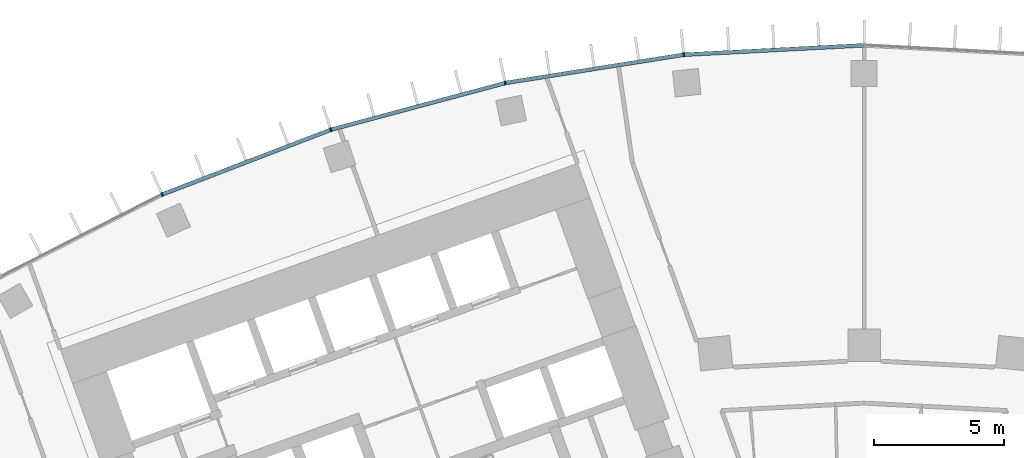
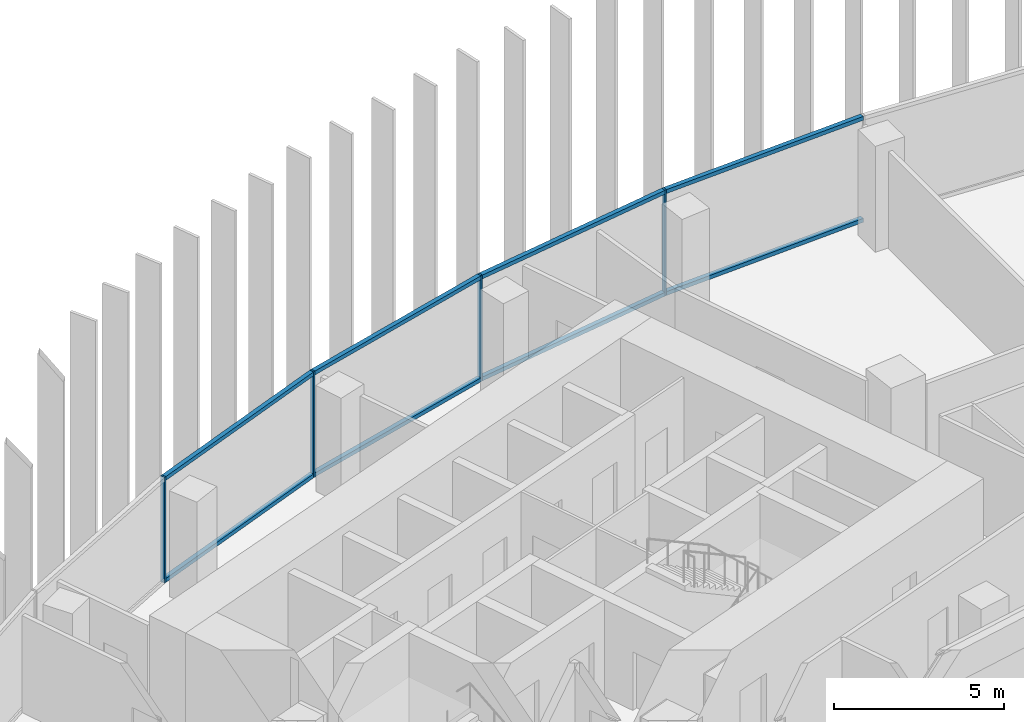
# One storey, part 7 of 23: 12 members, 1 element without a shape of its own.
"""IFC4 building model written with IfcOpenShell, lengths in metres."""

import ifcopenshell
import ifcopenshell.guid

model = None  # the IFC model being written
_history = None  # IfcOwnerHistory: only IFC2X3 demands one
_inside = {}  # id of a spatial element -> (the spatial element, [elements in it])
_under = {}  # id of a project, library or spatial element -> (it, [spatial elements below it])
_declared = {}  # id of a project -> (the project, [libraries it declares])
_typed = {}  # id of a type object -> (the type object, [elements of that type])
_made_of = {}  # id of a material, layer set ... -> (it, [elements and type objects made of it])


def new_model(schema):
    """Start an empty IFC model of exactly this schema.

    Asked for "IFC4X3", IfcOpenShell would pick the latest addendum, in which some entities
    have other attributes; the version numbers below select the first issue.
    IFC2X3 requires an IfcOwnerHistory on every rooted entity: one is made here for all.
    """
    global model, _history
    if schema == "IFC4X3":
        model = ifcopenshell.file(schema_version=(4, 3, 0, 0))
    else:
        model = ifcopenshell.file(schema=schema)
    _inside.clear()
    _under.clear()
    _declared.clear()
    _typed.clear()
    _made_of.clear()
    _history = None
    if model.schema == "IFC2X3":
        org = make("IfcOrganization", Name="unknown")
        user = make(
            "IfcPersonAndOrganization",
            ThePerson=make("IfcPerson", FamilyName="unknown"),
            TheOrganization=org,
        )
        app = make(
            "IfcApplication",
            ApplicationDeveloper=org,
            Version="unknown",
            ApplicationFullName="unknown",
            ApplicationIdentifier="unknown",
        )
        _history = make(
            "IfcOwnerHistory",
            OwningUser=user,
            OwningApplication=app,
            ChangeAction="ADDED",
            CreationDate=0,
        )
    return model


def make(cls, **values):
    """One entity of the class cls with the attributes given. An attribute that is None is left unset."""
    return model.create_entity(
        cls, **{name: value for name, value in values.items() if value is not None}
    )


def rooted(cls, **values):
    """An entity with a GlobalId (a new one), such as an element, a storey or a relation."""
    return make(cls, GlobalId=ifcopenshell.guid.new(), OwnerHistory=_history, **values)


def si_unit(unit_type, name, prefix=None):
    """IfcSIUnit, for example si_unit("LENGTHUNIT", "METRE", prefix="MILLI")."""
    return make("IfcSIUnit", UnitType=unit_type, Prefix=prefix, Name=name)


def assignment(units):
    """IfcUnitAssignment: the units of a project."""
    return None if units is None else make("IfcUnitAssignment", Units=units)


def point(xyz):
    """IfcCartesianPoint."""
    return None if xyz is None else make("IfcCartesianPoint", Coordinates=xyz)


def direction(xyz):
    """IfcDirection."""
    return None if xyz is None else make("IfcDirection", DirectionRatios=xyz)


def frame(location, z_axis=None, x_axis=None):
    """IfcAxis2Placement3D, a coordinate frame: its origin and axes. An axis left out is left unset."""
    return make(
        "IfcAxis2Placement3D",
        Location=point(location),
        Axis=direction(z_axis),
        RefDirection=direction(x_axis),
    )


def frame_2d(location, x_axis=None):
    """IfcAxis2Placement2D, a coordinate frame in the plane: its origin and x axis."""
    return make(
        "IfcAxis2Placement2D", Location=point(location), RefDirection=direction(x_axis)
    )


def origin():
    """The frame at (0, 0, 0) with its axes left unset."""
    return frame((0.0, 0.0, 0.0))


def origin_2d():
    """The frame at (0, 0) in the plane with its x axis left unset."""
    return frame_2d((0.0, 0.0))


def place(relative_to, where):
    """IfcLocalPlacement: puts the frame where relative to a parent placement (None: the world)."""
    return make(
        "IfcLocalPlacement", PlacementRelTo=relative_to, RelativePlacement=where
    )


def context(
    kind, dimensions, precision=None, world=None, true_north=None, identifier=None
):
    """IfcGeometricRepresentationContext, for example the 3D "Model" context."""
    return make(
        "IfcGeometricRepresentationContext",
        ContextIdentifier=identifier,
        ContextType=kind,
        CoordinateSpaceDimension=dimensions,
        Precision=precision,
        WorldCoordinateSystem=world,
        TrueNorth=true_north,
    )


def subcontext(parent, identifier, kind, view, scale=None):
    """IfcGeometricRepresentationSubContext, for example "Body" below "Model"."""
    return make(
        "IfcGeometricRepresentationSubContext",
        ContextIdentifier=identifier,
        ContextType=kind,
        ParentContext=parent,
        TargetScale=scale,
        TargetView=view,
    )


def project(units=None, contexts=None):
    """IfcProject with its units and contexts."""
    return rooted(
        "IfcProject",
        Name="project",
        RepresentationContexts=contexts,
        UnitsInContext=assignment(units),
    )


def spatial(cls, under=None, at=None, **own):
    """A site, building, storey or space (cls), placed at a placement, below another one or the project."""
    s = rooted(cls, ObjectPlacement=at, **own)
    if under is not None:
        _under.setdefault(under.id(), (under, []))[1].append(s)
    return s


def profile(cls, at=None, kind="AREA", **sizes):
    """A parametric profile (cls). Its sizes go by their IFC names, for example OverallWidth=200.0."""
    return make(cls, ProfileType=kind, Position=at, **sizes)


def rectangle(**sizes):
    """IfcRectangleProfileDef."""
    return profile("IfcRectangleProfileDef", **sizes)


def extrude(swept, where, along, depth):
    """IfcExtrudedAreaSolid: the profile swept, set in the frame where, extruded along a direction by depth."""
    return make(
        "IfcExtrudedAreaSolid",
        SweptArea=swept,
        Position=where,
        ExtrudedDirection=direction(along),
        Depth=depth,
    )


def shape(context_of_items, identifier, shape_type, items):
    """IfcShapeRepresentation: the items that make up one representation, for example the "Body"."""
    return make(
        "IfcShapeRepresentation",
        ContextOfItems=context_of_items,
        RepresentationIdentifier=identifier,
        RepresentationType=shape_type,
        Items=items,
    )


def material(Name=None, Category=None):
    """IfcMaterial."""
    return make("IfcMaterial", Name=Name, Category=Category)


def layer(
    of_material, thickness, ventilated=None, Name=None, Category=None, Priority=None
):
    """IfcMaterialLayer: one layer of a wall or slab, of a material (None: an air gap)."""
    return make(
        "IfcMaterialLayer",
        Material=of_material,
        LayerThickness=thickness,
        IsVentilated=ventilated,
        Name=Name,
        Category=Category,
        Priority=Priority,
    )


def layer_set(layers, Name=None):
    """IfcMaterialLayerSet."""
    return make("IfcMaterialLayerSet", MaterialLayers=layers, LayerSetName=Name)


def material_profile(
    of_material, cross_section, Name=None, Category=None, Priority=None
):
    """IfcMaterialProfile: a cross section and its material."""
    return make(
        "IfcMaterialProfile",
        Name=Name,
        Material=of_material,
        Profile=cross_section,
        Priority=Priority,
        Category=Category,
    )


def profile_set(profiles, Name=None, composite=None):
    """IfcMaterialProfileSet."""
    return make(
        "IfcMaterialProfileSet",
        Name=Name,
        MaterialProfiles=profiles,
        CompositeProfile=composite,
    )


def made_of(thing, what):
    """Note that an element or type object is made of a material, layer set ...; save() writes the relation."""
    if what is not None:
        _made_of.setdefault(what.id(), (what, []))[1].append(thing)
    return thing


def type_object(cls, material=None, **own):
    """A type object (cls), such as IfcWallType, which elements share."""
    return made_of(rooted(cls, **own), material)


def element(
    cls,
    number,
    at=None,
    inside=None,
    cuts=None,
    type_object=None,
    material=None,
    context=None,
    identifier="Body",
    shape_type=None,
    held_by="IfcProductDefinitionShape",
    body=None,
    shapes=None,
    **own,
):
    """One element of the class cls, such as IfcWall. Its Tag is "e" and its number.

    at: its placement. inside: the storey or other place that contains it. cuts: it is an
    opening in that element (IfcRelVoidsElement). A single representation is given by context,
    identifier, shape_type and body (its items); several are given by shapes. held_by: the class
    of the entity that holds the representations. save() writes the other relations.
    """
    e = rooted(cls, Tag="e%d" % number, ObjectPlacement=at, **own)
    if body is not None:
        shapes = [shape(context, identifier, shape_type, body)]
    if shapes is not None:
        e.Representation = make(held_by, Representations=shapes)
    if inside is not None:
        _inside.setdefault(inside.id(), (inside, []))[1].append(e)
    if cuts is not None:
        rooted(
            "IfcRelVoidsElement", RelatingBuildingElement=cuts, RelatedOpeningElement=e
        )
    if type_object is not None:
        _typed.setdefault(type_object.id(), (type_object, []))[1].append(e)
    return made_of(e, material)


def aggregate(whole, parts):
    """IfcRelAggregates: a whole, such as a stair, and the parts it consists of."""
    return rooted("IfcRelAggregates", RelatingObject=whole, RelatedObjects=parts)


def save(model, path):
    """Write the relations noted so far, then the file.

    IfcRelAggregates (storeys below a building ...), IfcRelContainedInSpatialStructure (elements
    in a storey), IfcRelDefinesByType, IfcRelAssociatesMaterial and IfcRelDeclares: one each for
    every whole, place, type object, material and project.
    """
    for whole, parts in _under.values():
        aggregate(whole, parts)
    for where, things in _inside.values():
        rooted(
            "IfcRelContainedInSpatialStructure",
            RelatedElements=things,
            RelatingStructure=where,
        )
    for kind, things in _typed.values():
        rooted("IfcRelDefinesByType", RelatedObjects=things, RelatingType=kind)
    for what, things in _made_of.values():
        rooted("IfcRelAssociatesMaterial", RelatedObjects=things, RelatingMaterial=what)
    for by, libraries in _declared.values():
        rooted("IfcRelDeclares", RelatingContext=by, RelatedDefinitions=libraries)
    model.write(path)


model = new_model("IFC4")

# Units and contexts
model_context = context("Model", 3, precision=1e-05, world=origin(), true_north=direction((0.0, 1.0)))
body_context = subcontext(model_context, "Body", "Model", "MODEL_VIEW")
ifc_project = project(units=[si_unit("LENGTHUNIT", "METRE"), si_unit("AREAUNIT", "SQUARE_METRE"), si_unit("VOLUMEUNIT", "CUBIC_METRE"), si_unit("PLANEANGLEUNIT", "RADIAN"), si_unit("MASSUNIT", "GRAM", prefix="KILO")], contexts=[model_context])

# Site, building, storey
site_placement = place(None, origin())
site = spatial("IfcSite", under=ifc_project, at=site_placement, CompositionType="ELEMENT")
building_placement = place(site_placement, origin())
building = spatial("IfcBuilding", under=site, at=building_placement, Name="Stone Belt Terrace Tower", CompositionType="ELEMENT")
storey_placement = place(building_placement, frame((0.0, 0.0, 178.199951171875)))
storey = spatial("IfcBuildingStorey", under=building, at=storey_placement, Name="L43", CompositionType="ELEMENT", Elevation=178.199951171875)

# Curtain wall, members
ifc_material = material(Name="Aluminium 6063-T6 anodised frame", Category="aluminium")
ifc_layer = layer(ifc_material, 0.14990234375)
ifc_layer_set = layer_set([ifc_layer], Name="CW-A unitised convex-face curtain wall")
curtain_wall_type = type_object("IfcCurtainWallType", Name="CW-A unitised convex-face curtain wall", PredefinedType="NOTDEFINED", material=ifc_layer_set)
curtain_wall_placement = place(storey_placement, origin())
curtain_wall = element("IfcCurtainWall", 1, at=curtain_wall_placement, inside=storey, type_object=curtain_wall_type, Name="CW-A convex face L43", PredefinedType="NOTDEFINED")
ifc_material_profile_1 = material_profile(ifc_material, rectangle(XDim=0.14990234375, YDim=0.06005859375, at=origin_2d()), Name="Aluminium 6063-T6 60x150")
ifc_profile_set_1 = profile_set([ifc_material_profile_1], Name="Aluminium 6063-T6 anodised frame")
member_type_1 = type_object("IfcMemberType", Name="CW-A mullion 60 x 150", PredefinedType="MULLION", material=ifc_profile_set_1)
member_1_placement = place(storey_placement, frame((-6.958984375, 66.21044921875, 0.0), z_axis=(0.0, 0.0, 1.0), x_axis=(0.104528463268, -0.994521895368, 0.0)))
member_1 = element("IfcMember", 2, at=member_1_placement, type_object=member_type_1, Name="CW-A mullion 9", PredefinedType="MULLION", context=body_context, shape_type="SweptSolid", body=[
    extrude(rectangle(XDim=0.14990234375, YDim=0.06005859375, at=origin_2d()), origin(), (0.0, 0.0, 1.0), 3.800048828125),
])
member_2_placement = place(storey_placement, frame((-13.841796875, 65.120361328125, 0.0), z_axis=(0.0, 0.0, 1.0), x_axis=(0.207911690818, -0.978147600734, 0.0)))
member_2 = element("IfcMember", 3, at=member_2_placement, type_object=member_type_1, Name="CW-A mullion 10", PredefinedType="MULLION", context=body_context, shape_type="SweptSolid", body=[
    extrude(rectangle(XDim=0.14990234375, YDim=0.06005859375, at=origin_2d()), origin(), (0.0, 0.0, 1.0), 3.800048828125),
])
member_3_placement = place(storey_placement, frame((-20.57275390625, 63.316650390625, 0.0), z_axis=(0.0, 0.0, 1.0), x_axis=(0.309016994375, -0.951056516295, 0.0)))
member_3 = element("IfcMember", 4, at=member_3_placement, type_object=member_type_1, Name="CW-A mullion 11", PredefinedType="MULLION", context=body_context, shape_type="SweptSolid", body=[
    extrude(rectangle(XDim=0.14990234375, YDim=0.06005859375, at=origin_2d()), origin(), (0.0, 0.0, 1.0), 3.800048828125),
])
member_4_placement = place(storey_placement, frame((-27.07861328125, 60.8193359375, 0.0), z_axis=(0.0, 0.0, 1.0), x_axis=(0.406736643076, -0.913545457643, 0.0)))
member_4 = element("IfcMember", 5, at=member_4_placement, type_object=member_type_1, Name="CW-A mullion 12", PredefinedType="MULLION", context=body_context, shape_type="SweptSolid", body=[
    extrude(rectangle(XDim=0.14990234375, YDim=0.06005859375, at=origin_2d()), origin(), (0.0, 0.0, 1.0), 3.800048828125),
])
ifc_material_profile_2 = material_profile(ifc_material, rectangle(XDim=0.14990234375, YDim=0.139892578125, at=origin_2d()), Name="Aluminium 6063-T6 150x140")
ifc_profile_set_2 = profile_set([ifc_material_profile_2], Name="Aluminium 6063-T6 anodised frame")
member_type_2 = type_object("IfcMemberType", Name="CW-A transom 140 x 150", PredefinedType="USERDEFINED", material=ifc_profile_set_2)
member_5_placement = place(storey_placement, frame((-0.033935546875, 66.5732421875, 0.070068359375), z_axis=(-0.998630019135, -0.052326712899, 0.0), x_axis=(0.052326712899, -0.998630019135, 0.0)))
member_5 = element("IfcMember", 6, at=member_5_placement, type_object=member_type_2, Name="CW-A transom 8.1", ObjectType="TRANSOM", PredefinedType="USERDEFINED", context=body_context, shape_type="SweptSolid", body=[
    extrude(rectangle(XDim=0.14990234375, YDim=0.139892578125, at=origin_2d()), origin(), (0.0, 0.0, 1.0), 6.900634765625),
])
member_6_placement = place(storey_placement, frame((-0.033935546875, 66.5732421875, 3.72998046875), z_axis=(-0.998630019135, -0.052326712899, 0.0), x_axis=(0.052326712899, -0.998630019135, 0.0)))
member_6 = element("IfcMember", 7, at=member_6_placement, type_object=member_type_2, Name="CW-A transom 8.2", ObjectType="TRANSOM", PredefinedType="USERDEFINED", context=body_context, shape_type="SweptSolid", body=[
    extrude(rectangle(XDim=0.14990234375, YDim=0.139892578125, at=origin_2d()), origin(), (0.0, 0.0, 1.0), 6.900634765625),
])
member_7_placement = place(storey_placement, frame((-6.992431640625, 66.205078125, 0.070068359375), z_axis=(-0.987687120531, -0.156442168027, 0.0), x_axis=(0.156442168027, -0.987687120531, 0.0)))
member_7 = element("IfcMember", 8, at=member_7_placement, type_object=member_type_2, Name="CW-A transom 9.1", ObjectType="TRANSOM", PredefinedType="USERDEFINED", context=body_context, shape_type="SweptSolid", body=[
    extrude(rectangle(XDim=0.14990234375, YDim=0.139892578125, at=origin_2d()), origin(), (0.0, 0.0, 1.0), 6.90087890625),
])
member_8_placement = place(storey_placement, frame((-6.992431640625, 66.205078125, 3.72998046875), z_axis=(-0.987687120531, -0.156442168027, 0.0), x_axis=(0.156442168027, -0.987687120531, 0.0)))
member_8 = element("IfcMember", 9, at=member_8_placement, type_object=member_type_2, Name="CW-A transom 9.2", ObjectType="TRANSOM", PredefinedType="USERDEFINED", context=body_context, shape_type="SweptSolid", body=[
    extrude(rectangle(XDim=0.14990234375, YDim=0.139892578125, at=origin_2d()), origin(), (0.0, 0.0, 1.0), 6.90087890625),
])
member_9_placement = place(storey_placement, frame((-13.87451171875, 65.111572265625, 0.070068359375), z_axis=(-0.965921835863, -0.258833937117, 0.0), x_axis=(0.258833937117, -0.965921835863, 0.0)))
member_9 = element("IfcMember", 10, at=member_9_placement, type_object=member_type_2, Name="CW-A transom 10.1", ObjectType="TRANSOM", PredefinedType="USERDEFINED", context=body_context, shape_type="SweptSolid", body=[
    extrude(rectangle(XDim=0.14990234375, YDim=0.139892578125, at=origin_2d()), origin(), (0.0, 0.0, 1.0), 6.900634765625),
])
member_10_placement = place(storey_placement, frame((-13.87451171875, 65.111572265625, 3.72998046875), z_axis=(-0.965921835863, -0.258833937117, 0.0), x_axis=(0.258833937117, -0.965921835863, 0.0)))
member_10 = element("IfcMember", 11, at=member_10_placement, type_object=member_type_2, Name="CW-A transom 10.2", ObjectType="TRANSOM", PredefinedType="USERDEFINED", context=body_context, shape_type="SweptSolid", body=[
    extrude(rectangle(XDim=0.14990234375, YDim=0.139892578125, at=origin_2d()), origin(), (0.0, 0.0, 1.0), 6.900634765625),
])
member_11_placement = place(storey_placement, frame((-20.6044921875, 63.304443359375, 0.070068359375), z_axis=(-0.933585210269, -0.358355487146, 0.0), x_axis=(0.358355487146, -0.933585210269, 0.0)))
member_11 = element("IfcMember", 12, at=member_11_placement, type_object=member_type_2, Name="CW-A transom 11.1", ObjectType="TRANSOM", PredefinedType="USERDEFINED", context=body_context, shape_type="SweptSolid", body=[
    extrude(rectangle(XDim=0.14990234375, YDim=0.139892578125, at=origin_2d()), origin(), (0.0, 0.0, 1.0), 6.900634765625),
])
member_12_placement = place(storey_placement, frame((-20.6044921875, 63.304443359375, 3.72998046875), z_axis=(-0.933585210269, -0.358355487146, 0.0), x_axis=(0.358355487146, -0.933585210269, 0.0)))
member_12 = element("IfcMember", 13, at=member_12_placement, type_object=member_type_2, Name="CW-A transom 11.2", ObjectType="TRANSOM", PredefinedType="USERDEFINED", context=body_context, shape_type="SweptSolid", body=[
    extrude(rectangle(XDim=0.14990234375, YDim=0.139892578125, at=origin_2d()), origin(), (0.0, 0.0, 1.0), 6.900634765625),
])
aggregate(curtain_wall, [member_1, member_2, member_3, member_4, member_5, member_6, member_7, member_8, member_9, member_10, member_11, member_12])

save(model, "model.ifc")
